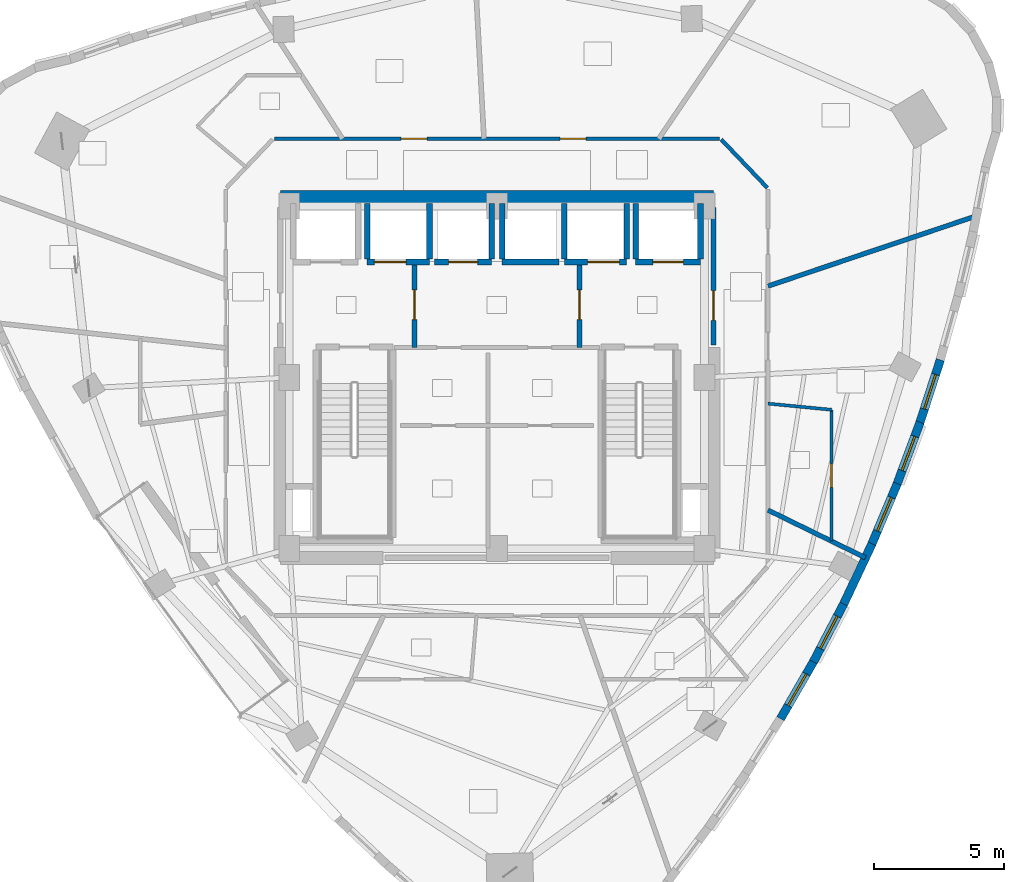
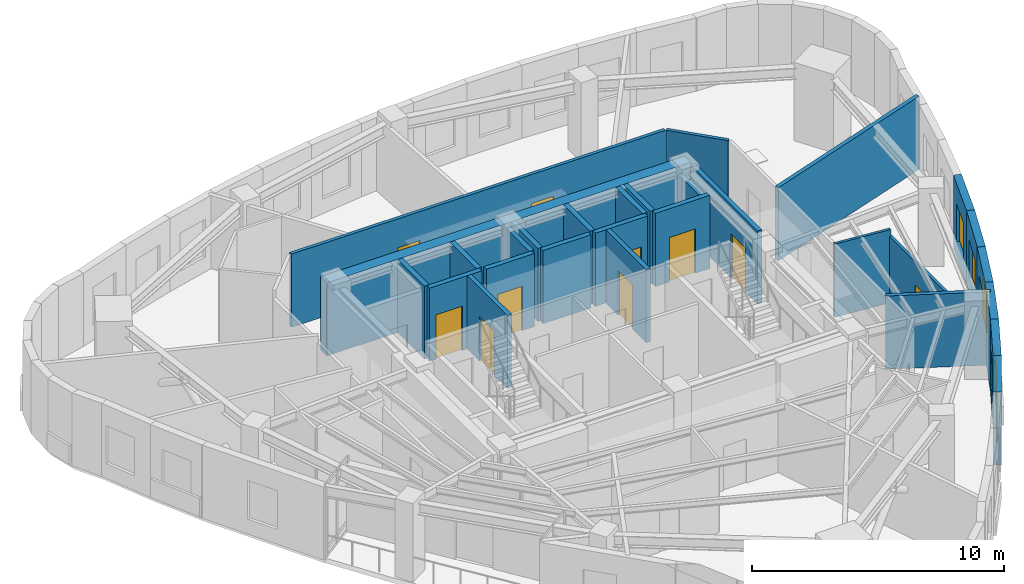
# One storey, part 8 of 13: 29 walls, 10 doors, 5 windows, 15 openings.
"""IFC4 building model written with IfcOpenShell, lengths in metres."""

from ifc_helpers import new_model, si_unit, direction, frame, frame_2d, origin, place, context, subcontext, project, spatial, rectangle, extrude, material, layer, layer_set, type_object, element, fill, save


model = new_model("IFC4")

# Units and contexts
model_context = context("Model", 3, precision=1e-05, world=origin(), true_north=direction((0.0, 1.0)))
body_context = subcontext(model_context, "Body", "Model", "MODEL_VIEW")
ifc_project = project(units=[si_unit("LENGTHUNIT", "METRE"), si_unit("AREAUNIT", "SQUARE_METRE"), si_unit("VOLUMEUNIT", "CUBIC_METRE"), si_unit("PLANEANGLEUNIT", "RADIAN"), si_unit("MASSUNIT", "GRAM", prefix="KILO")], contexts=[model_context])

# Site, building, storey
site_placement = place(None, origin())
site = spatial("IfcSite", under=ifc_project, at=site_placement, CompositionType="ELEMENT")
building_placement = place(site_placement, origin())
building = spatial("IfcBuilding", under=site, at=building_placement, Name="Ndelora Gate Hotel", CompositionType="ELEMENT")
storey_placement = place(building_placement, frame((0.0, 0.0, 235.949951171875)))
storey = spatial("IfcBuildingStorey", under=building, at=storey_placement, Name="L59", CompositionType="ELEMENT", Elevation=235.949951171875)

# Walls
ifc_material_1 = material(Name="Acoustic Double-Stud Gypsum Assembly", Category="gypsum")
ifc_layer_1 = layer(ifc_material_1, 0.179931640625)
ifc_layer_set_1 = layer_set([ifc_layer_1], Name="Acoustic Double-Stud Gypsum Assembly")
wall_type_1 = type_object("IfcWallType", Name="WL-ACOUST-180", PredefinedType="PARTITIONING", material=ifc_layer_set_1)
wall_1_placement = place(storey_placement, frame((10.449951171875, -5.1123046875, 0.0), z_axis=(0.0, 0.0, 1.0), x_axis=(0.89827266013, -0.439438537298, 0.0)))
element("IfcWall", 1, at=wall_1_placement, inside=storey, type_object=wall_type_1, Name="L59 Interior Wall IW-3", PredefinedType="PARTITIONING", context=body_context, shape_type="SweptSolid", body=[
    extrude(rectangle(XDim=4.178955078125, YDim=0.179931640625, at=frame_2d((2.08935546875, 0.0))), origin(), (0.0, 0.0, 1.0), 3.550048828125),
])
wall_2_placement = place(storey_placement, frame((10.449951171875, 3.52099609375, 0.0), z_axis=(0.0, 0.0, 1.0), x_axis=(0.947649729023, 0.319311745919, 0.0)))
element("IfcWall", 2, at=wall_2_placement, inside=storey, type_object=wall_type_1, Name="L59 Interior Wall IW-3", PredefinedType="PARTITIONING", context=body_context, shape_type="SweptSolid", body=[
    extrude(rectangle(XDim=8.473876953125, YDim=0.179931640625, at=frame_2d((4.23681640625, 0.0))), origin(), (0.0, 0.0, 1.0), 3.550048828125),
])

# Wall, opening, window
ifc_material_2 = material(Name="Clay Brick Masonry", Category="masonry")
ifc_layer_2 = layer(ifc_material_2, 0.330078125)
ifc_layer_set_2 = layer_set([ifc_layer_2], Name="Clay Brick Masonry")
wall_type_2 = type_object("IfcWallType", Name="WL-BRICK-330", PredefinedType="SOLIDWALL", material=ifc_layer_set_2)
wall_3_placement = place(storey_placement, frame((12.22021484375, -10.9208984375, 0.0), z_axis=(0.0, 0.0, 1.0), x_axis=(-0.499875407217, -0.866097325513, 0.0)))
wall_3 = element("IfcWall", 3, at=wall_3_placement, inside=storey, type_object=wall_type_2, Name="L59 Tower Brick Pier-and-Spandrel Wall TWR-30", PredefinedType="SOLIDWALL", context=body_context, shape_type="SweptSolid", body=[
    extrude(rectangle(XDim=2.579345703125, YDim=0.330078125, at=frame_2d((1.28955078125, 0.0))), origin(), (0.0, 0.0, 1.0), 3.550048828125),
])
opening_1_placement = place(wall_3_placement, frame((0.589599609375, 0.0, 0.719970703125)))
opening_1 = element("IfcOpeningElement", 4, at=opening_1_placement, cuts=wall_3, Name="Opening W02", PredefinedType="OPENING", context=body_context, shape_type="SweptSolid", body=[
    extrude(rectangle(XDim=1.39990234375, YDim=1.840087890625, at=frame_2d((0.699951171875, 0.919921875))), frame((0.0, 0.175048828125, 0.0), z_axis=(0.0, -1.0, 0.0), x_axis=(1.0, 0.0, 0.0)), (0.0, 0.0, 1.0), 0.35009765625),
])
ifc_material_3 = material(Name="Insulated Low-E Double Glazing in Bronze Aluminium Frame", Category="aluminium")
window_type = type_object("IfcWindowType", Name="WN-DEEP-1400", PartitioningType="SINGLE_PANEL", PredefinedType="WINDOW", material=ifc_material_3)
window_1_placement = place(opening_1_placement, origin())
window_1 = element("IfcWindow", 5, at=window_1_placement, inside=storey, type_object=window_type, Name="L59 Deep-Set Brick-Pier Window W02", OverallHeight=1.840087890625, OverallWidth=1.39990234375, PartitioningType="SINGLE_PANEL", PredefinedType="WINDOW", context=body_context, shape_type="SweptSolid", body=[
    extrude(rectangle(XDim=1.39990234375, YDim=1.840087890625, at=frame_2d((0.699951171875, 0.919921875))), frame((0.0, 0.030029296875, 0.0), z_axis=(0.0, -1.0, 0.0), x_axis=(1.0, 0.0, 0.0)), (0.0, 0.0, 1.0), 0.06005859375),
])
fill(opening_1, window_1)

wall_4_placement = place(storey_placement, frame((13.38720703125, -8.6865234375, 0.0), z_axis=(0.0, 0.0, 1.0), x_axis=(-0.463361004434, -0.886169611062, 0.0)))
wall_4 = element("IfcWall", 6, at=wall_4_placement, inside=storey, type_object=wall_type_2, Name="L59 Tower Brick Pier-and-Spandrel Wall TWR-31", PredefinedType="SOLIDWALL", context=body_context, shape_type="SweptSolid", body=[
    extrude(rectangle(XDim=2.57080078125, YDim=0.330078125, at=frame_2d((1.285400390625, 0.0))), origin(), (0.0, 0.0, 1.0), 3.550048828125),
])
opening_2_placement = place(wall_4_placement, frame((0.585205078125, 0.0, 0.719970703125)))
opening_2 = element("IfcOpeningElement", 7, at=opening_2_placement, cuts=wall_4, Name="Opening W02", PredefinedType="OPENING", context=body_context, shape_type="SweptSolid", body=[
    extrude(rectangle(XDim=1.39990234375, YDim=1.840087890625, at=frame_2d((0.699951171875, 0.919921875))), frame((0.0, 0.175048828125, 0.0), z_axis=(0.0, -1.0, 0.0), x_axis=(1.0, 0.0, 0.0)), (0.0, 0.0, 1.0), 0.35009765625),
])
window_2_placement = place(opening_2_placement, origin())
window_2 = element("IfcWindow", 8, at=window_2_placement, inside=storey, type_object=window_type, Name="L59 Deep-Set Brick-Pier Window W02", OverallHeight=1.840087890625, OverallWidth=1.39990234375, PartitioningType="SINGLE_PANEL", PredefinedType="WINDOW", context=body_context, shape_type="SweptSolid", body=[
    extrude(rectangle(XDim=1.39990234375, YDim=1.840087890625, at=frame_2d((0.699951171875, 0.919921875))), frame((0.0, 0.030029296875, 0.0), z_axis=(0.0, -1.0, 0.0), x_axis=(1.0, 0.0, 0.0)), (0.0, 0.0, 1.0), 0.06005859375),
])
fill(opening_2, window_2)

# Wall
wall_5_placement = place(storey_placement, frame((14.45751953125, -6.40966796875, 0.0), z_axis=(0.0, 0.0, 1.0), x_axis=(-0.425774125911, -0.90482948322, 0.0)))
element("IfcWall", 9, at=wall_5_placement, inside=storey, type_object=wall_type_2, Name="L59 Tower Brick Pier-and-Spandrel Wall TWR-32", PredefinedType="SOLIDWALL", context=body_context, shape_type="SweptSolid", body=[
    extrude(rectangle(XDim=2.56591796875, YDim=0.330078125, at=frame_2d((1.282958984375, 0.0))), origin(), (0.0, 0.0, 1.0), 3.550048828125),
])

# Wall, opening, window
wall_6_placement = place(storey_placement, frame((15.431640625, -4.089599609375, 0.0), z_axis=(0.0, 0.0, 1.0), x_axis=(-0.387525243304, -0.921859092162, 0.0)))
wall_6 = element("IfcWall", 10, at=wall_6_placement, inside=storey, type_object=wall_type_2, Name="L59 Tower Brick Pier-and-Spandrel Wall TWR-33", PredefinedType="SOLIDWALL", context=body_context, shape_type="SweptSolid", body=[
    extrude(rectangle(XDim=2.56591796875, YDim=0.330078125, at=frame_2d((1.282958984375, 0.0))), origin(), (0.0, 0.0, 1.0), 3.550048828125),
])
opening_3_placement = place(wall_6_placement, frame((0.5830078125, 0.0, 0.719970703125)))
opening_3 = element("IfcOpeningElement", 11, at=opening_3_placement, cuts=wall_6, Name="Opening W02", PredefinedType="OPENING", context=body_context, shape_type="SweptSolid", body=[
    extrude(rectangle(XDim=1.39990234375, YDim=1.840087890625, at=frame_2d((0.699951171875, 0.919921875))), frame((0.0, 0.175048828125, 0.0), z_axis=(0.0, -1.0, 0.0), x_axis=(1.0, 0.0, 0.0)), (0.0, 0.0, 1.0), 0.35009765625),
])
window_3_placement = place(opening_3_placement, origin())
window_3 = element("IfcWindow", 12, at=window_3_placement, inside=storey, type_object=window_type, Name="L59 Deep-Set Brick-Pier Window W02", OverallHeight=1.840087890625, OverallWidth=1.39990234375, PartitioningType="SINGLE_PANEL", PredefinedType="WINDOW", context=body_context, shape_type="SweptSolid", body=[
    extrude(rectangle(XDim=1.39990234375, YDim=1.840087890625, at=frame_2d((0.699951171875, 0.919921875))), frame((0.0, 0.030029296875, 0.0), z_axis=(0.0, -1.0, 0.0), x_axis=(1.0, 0.0, 0.0)), (0.0, 0.0, 1.0), 0.06005859375),
])
fill(opening_3, window_3)

wall_7_placement = place(storey_placement, frame((16.30908203125, -1.726806640625, 0.0), z_axis=(0.0, 0.0, 1.0), x_axis=(-0.348582368666, -0.937278150954, 0.0)))
wall_7 = element("IfcWall", 13, at=wall_7_placement, inside=storey, type_object=wall_type_2, Name="L59 Tower Brick Pier-and-Spandrel Wall TWR-34", PredefinedType="SOLIDWALL", context=body_context, shape_type="SweptSolid", body=[
    extrude(rectangle(XDim=2.5703125, YDim=0.330078125, at=frame_2d((1.28515625, 0.0))), origin(), (0.0, 0.0, 1.0), 3.550048828125),
])
opening_4_placement = place(wall_7_placement, frame((0.585205078125, 0.0, 0.719970703125)))
opening_4 = element("IfcOpeningElement", 14, at=opening_4_placement, cuts=wall_7, Name="Opening W02", PredefinedType="OPENING", context=body_context, shape_type="SweptSolid", body=[
    extrude(rectangle(XDim=1.39990234375, YDim=1.840087890625, at=frame_2d((0.699951171875, 0.919921875))), frame((0.0, 0.175048828125, 0.0), z_axis=(0.0, -1.0, 0.0), x_axis=(1.0, 0.0, 0.0)), (0.0, 0.0, 1.0), 0.35009765625),
])
window_4_placement = place(opening_4_placement, origin())
window_4 = element("IfcWindow", 15, at=window_4_placement, inside=storey, type_object=window_type, Name="L59 Deep-Set Brick-Pier Window W02", OverallHeight=1.840087890625, OverallWidth=1.39990234375, PartitioningType="SINGLE_PANEL", PredefinedType="WINDOW", context=body_context, shape_type="SweptSolid", body=[
    extrude(rectangle(XDim=1.39990234375, YDim=1.840087890625, at=frame_2d((0.699951171875, 0.919921875))), frame((0.0, 0.030029296875, 0.0), z_axis=(0.0, -1.0, 0.0), x_axis=(1.0, 0.0, 0.0)), (0.0, 0.0, 1.0), 0.06005859375),
])
fill(opening_4, window_4)

wall_8_placement = place(storey_placement, frame((17.090087890625, 0.678955078125, 0.0), z_axis=(0.0, 0.0, 1.0), x_axis=(-0.309148141518, -0.951013894008, 0.0)))
wall_8 = element("IfcWall", 16, at=wall_8_placement, inside=storey, type_object=wall_type_2, Name="L59 Tower Brick Pier-and-Spandrel Wall TWR-35", PredefinedType="SOLIDWALL", context=body_context, shape_type="SweptSolid", body=[
    extrude(rectangle(XDim=2.579345703125, YDim=0.330078125, at=frame_2d((1.28955078125, 0.0))), origin(), (0.0, 0.0, 1.0), 3.550048828125),
])
opening_5_placement = place(wall_8_placement, frame((0.589599609375, 0.0, 0.719970703125)))
opening_5 = element("IfcOpeningElement", 17, at=opening_5_placement, cuts=wall_8, Name="Opening W02", PredefinedType="OPENING", context=body_context, shape_type="SweptSolid", body=[
    extrude(rectangle(XDim=1.39990234375, YDim=1.840087890625, at=frame_2d((0.699951171875, 0.919921875))), frame((0.0, 0.175048828125, 0.0), z_axis=(0.0, -1.0, 0.0), x_axis=(1.0, 0.0, 0.0)), (0.0, 0.0, 1.0), 0.35009765625),
])
window_5_placement = place(opening_5_placement, origin())
window_5 = element("IfcWindow", 18, at=window_5_placement, inside=storey, type_object=window_type, Name="L59 Deep-Set Brick-Pier Window W02", OverallHeight=1.840087890625, OverallWidth=1.39990234375, PartitioningType="SINGLE_PANEL", PredefinedType="WINDOW", context=body_context, shape_type="SweptSolid", body=[
    extrude(rectangle(XDim=1.39990234375, YDim=1.840087890625, at=frame_2d((0.699951171875, 0.919921875))), frame((0.0, 0.030029296875, 0.0), z_axis=(0.0, -1.0, 0.0), x_axis=(1.0, 0.0, 0.0)), (0.0, 0.0, 1.0), 0.06005859375),
])
fill(opening_5, window_5)

# Wall
ifc_material_4 = material(Name="Concrete C50/60", Category="concrete")
ifc_layer_3 = layer(ifc_material_4, 0.5)
ifc_layer_set_3 = layer_set([ifc_layer_3], Name="Concrete C50/60")
wall_type_3 = type_object("IfcWallType", Name="WL-CORE-500", PredefinedType="SHEAR", material=ifc_layer_set_3)
wall_9_placement = place(storey_placement, frame((-8.35009765625, 6.949951171875, 0.0), z_axis=(0.0, 0.0, 1.0), x_axis=(1.0, 0.0, 0.0)))
element("IfcWall", 19, at=wall_9_placement, inside=storey, type_object=wall_type_3, Name="L59 Core Shear Wall N", PredefinedType="SHEAR", context=body_context, shape_type="SweptSolid", body=[
    extrude(rectangle(XDim=16.7001953125, YDim=0.5, at=frame_2d((8.35009765625, 0.0))), origin(), (0.0, 0.0, 1.0), 3.550048828125),
])

# Wall, opening, door
ifc_material_5 = material(Name="Concrete C40/50", Category="concrete")
ifc_layer_4 = layer(ifc_material_5, 0.199951171875)
ifc_layer_set_4 = layer_set([ifc_layer_4], Name="Concrete C40/50")
wall_type_4 = type_object("IfcWallType", Name="WL-FIRE-200", PredefinedType="PARTITIONING", material=ifc_layer_set_4)
wall_10_placement = place(storey_placement, frame((-3.179931640625, 1.14990234375, 0.0), z_axis=(0.0, 0.0, 1.0), x_axis=(0.0, 1.0, 0.0)))
wall_10 = element("IfcWall", 20, at=wall_10_placement, inside=storey, type_object=wall_type_4, Name="L59 Interior Wall IW-2", PredefinedType="PARTITIONING", context=body_context, shape_type="SweptSolid", body=[
    extrude(rectangle(XDim=3.300048828125, YDim=0.199951171875, at=frame_2d((1.64990234375, 0.0))), origin(), (0.0, 0.0, 1.0), 3.550048828125),
])
opening_6_placement = place(wall_10_placement, frame((1.080078125, 0.0, 0.0)))
opening_6 = element("IfcOpeningElement", 21, at=opening_6_placement, cuts=wall_10, Name="Opening FD1", PredefinedType="OPENING", context=body_context, shape_type="SweptSolid", body=[
    extrude(rectangle(XDim=1.14990234375, YDim=2.14990234375, at=frame_2d((0.574951171875, 1.074951171875))), frame((0.0, 0.10986328125, 0.0), z_axis=(0.0, -1.0, 0.0), x_axis=(1.0, 0.0, 0.0)), (0.0, 0.0, 1.0), 0.219970703125),
])
ifc_material_6 = material(Name="Fire-Rated Timber-Veneer Steel Core", Category="steel")
door_type_1 = type_object("IfcDoorType", Name="DR-FD60", OperationType="SINGLE_SWING_LEFT", PredefinedType="DOOR", material=ifc_material_6)
door_1_placement = place(opening_6_placement, origin())
door_1 = element("IfcDoor", 22, at=door_1_placement, inside=storey, type_object=door_type_1, Name="L59 Firefighting Lobby West Door", OperationType="SINGLE_SWING_RIGHT", OverallHeight=2.14990234375, OverallWidth=1.14990234375, PredefinedType="DOOR", context=body_context, shape_type="SweptSolid", body=[
    extrude(rectangle(XDim=1.14990234375, YDim=2.14990234375, at=frame_2d((0.574951171875, 1.074951171875))), frame((0.0, 0.02490234375, 0.0), z_axis=(0.0, -1.0, 0.0), x_axis=(1.0, 0.0, 0.0)), (0.0, 0.0, 1.0), 0.050048828125),
])
fill(opening_6, door_1)

wall_11_placement = place(storey_placement, frame((3.179931640625, 1.14990234375, 0.0), z_axis=(0.0, 0.0, 1.0), x_axis=(0.0, 1.0, 0.0)))
wall_11 = element("IfcWall", 23, at=wall_11_placement, inside=storey, type_object=wall_type_4, Name="L59 Interior Wall IW-2", PredefinedType="PARTITIONING", context=body_context, shape_type="SweptSolid", body=[
    extrude(rectangle(XDim=3.300048828125, YDim=0.199951171875, at=frame_2d((1.64990234375, 0.0))), origin(), (0.0, 0.0, 1.0), 3.550048828125),
])
opening_7_placement = place(wall_11_placement, frame((1.080078125, 0.0, 0.0)))
opening_7 = element("IfcOpeningElement", 24, at=opening_7_placement, cuts=wall_11, Name="Opening FD1", PredefinedType="OPENING", context=body_context, shape_type="SweptSolid", body=[
    extrude(rectangle(XDim=1.14990234375, YDim=2.14990234375, at=frame_2d((0.574951171875, 1.074951171875))), frame((0.0, 0.10986328125, 0.0), z_axis=(0.0, -1.0, 0.0), x_axis=(1.0, 0.0, 0.0)), (0.0, 0.0, 1.0), 0.219970703125),
])
door_2_placement = place(opening_7_placement, origin())
door_2 = element("IfcDoor", 25, at=door_2_placement, inside=storey, type_object=door_type_1, Name="L59 Firefighting Lobby East Door", OperationType="SINGLE_SWING_LEFT", OverallHeight=2.14990234375, OverallWidth=1.14990234375, PredefinedType="DOOR", context=body_context, shape_type="SweptSolid", body=[
    extrude(rectangle(XDim=1.14990234375, YDim=2.14990234375, at=frame_2d((0.574951171875, 1.074951171875))), frame((0.0, 0.02490234375, 0.0), z_axis=(0.0, -1.0, 0.0), x_axis=(1.0, 0.0, 0.0)), (0.0, 0.0, 1.0), 0.050048828125),
])
fill(opening_7, door_2)

wall_12_placement = place(storey_placement, frame((8.35009765625, 1.25, 0.0), z_axis=(0.0, 0.0, 1.0), x_axis=(0.0, 1.0, 0.0)))
wall_12 = element("IfcWall", 26, at=wall_12_placement, inside=storey, type_object=wall_type_4, Name="L59 Interior Wall IW-2", PredefinedType="PARTITIONING", context=body_context, shape_type="SweptSolid", body=[
    extrude(rectangle(XDim=5.300048828125, YDim=0.199951171875, at=frame_2d((2.64990234375, 0.0))), origin(), (0.0, 0.0, 1.0), 3.550048828125),
])
opening_8_placement = place(wall_12_placement, frame((0.949951171875, 0.0, 0.0)))
opening_8 = element("IfcOpeningElement", 27, at=opening_8_placement, cuts=wall_12, Name="Opening FD1", PredefinedType="OPENING", context=body_context, shape_type="SweptSolid", body=[
    extrude(rectangle(XDim=1.14990234375, YDim=2.14990234375, at=frame_2d((0.574951171875, 1.074951171875))), frame((0.0, 0.10986328125, 0.0), z_axis=(0.0, -1.0, 0.0), x_axis=(1.0, 0.0, 0.0)), (0.0, 0.0, 1.0), 0.219970703125),
])
door_3_placement = place(opening_8_placement, origin())
door_3 = element("IfcDoor", 28, at=door_3_placement, inside=storey, type_object=door_type_1, Name="L59 Firefighting Lobby East Corridor Door", OperationType="SINGLE_SWING_RIGHT", OverallHeight=2.14990234375, OverallWidth=1.14990234375, PredefinedType="DOOR", context=body_context, shape_type="SweptSolid", body=[
    extrude(rectangle(XDim=1.14990234375, YDim=2.14990234375, at=frame_2d((0.574951171875, 1.074951171875))), frame((0.0, 0.02490234375, 0.0), z_axis=(0.0, -1.0, 0.0), x_axis=(1.0, 0.0, 0.0)), (0.0, 0.0, 1.0), 0.050048828125),
])
fill(opening_8, door_3)

# Wall
ifc_material_7 = material(Name="Fire-Rated Gypsum Stud Partition", Category="gypsum")
ifc_layer_5 = layer(ifc_material_7, 0.14990234375)
ifc_layer_set_5 = layer_set([ifc_layer_5], Name="Fire-Rated Gypsum Stud Partition")
wall_type_5 = type_object("IfcWallType", Name="WL-PART-150", PredefinedType="PARTITIONING", material=ifc_layer_set_5)
wall_13_placement = place(storey_placement, frame((8.647705078125, 9.1708984375, 0.0), z_axis=(0.0, 0.0, 1.0), x_axis=(0.689960858356, -0.723846678473, 0.0)))
element("IfcWall", 29, at=wall_13_placement, inside=storey, type_object=wall_type_5, Name="L59 Interior Wall IW-5", PredefinedType="PARTITIONING", context=body_context, shape_type="SweptSolid", body=[
    extrude(rectangle(XDim=2.572021484375, YDim=0.14990234375, at=frame_2d((1.2861328125, 0.0))), origin(), (0.0, 0.0, 1.0), 3.550048828125),
])

# Wall, openings, doors
wall_14_placement = place(storey_placement, frame((-8.580078125, 9.199951171875, 0.0), z_axis=(0.0, 0.0, 1.0), x_axis=(1.0, 0.0, 0.0)))
wall_14 = element("IfcWall", 30, at=wall_14_placement, inside=storey, type_object=wall_type_5, Name="L59 Interior Wall IW-5", PredefinedType="PARTITIONING", context=body_context, shape_type="SweptSolid", body=[
    extrude(rectangle(XDim=17.16015625, YDim=0.14990234375, at=frame_2d((8.580078125, 0.0))), origin(), (0.0, 0.0, 1.0), 3.550048828125),
])
opening_9_placement = place(wall_14_placement, frame((4.8896484375, 0.0, 0.0)))
opening_9 = element("IfcOpeningElement", 31, at=opening_9_placement, cuts=wall_14, Name="Opening D01", PredefinedType="OPENING", context=body_context, shape_type="SweptSolid", body=[
    extrude(rectangle(XDim=1.0, YDim=2.14990234375, at=frame_2d((0.5, 1.074951171875))), frame((0.0, 0.0849609375, 0.0), z_axis=(0.0, -1.0, 0.0), x_axis=(1.0, 0.0, 0.0)), (0.0, 0.0, 1.0), 0.169921875),
])
opening_10_placement = place(wall_14_placement, frame((11.01611328125, 0.0, 0.0)))
opening_10 = element("IfcOpeningElement", 32, at=opening_10_placement, cuts=wall_14, Name="Opening D01", PredefinedType="OPENING", context=body_context, shape_type="SweptSolid", body=[
    extrude(rectangle(XDim=1.0, YDim=2.14990234375, at=frame_2d((0.5, 1.074951171875))), frame((0.0, 0.0849609375, 0.0), z_axis=(0.0, -1.0, 0.0), x_axis=(1.0, 0.0, 0.0)), (0.0, 0.0, 1.0), 0.169921875),
])
ifc_material_8 = material(Name="Acoustic Hardwood Guest Entrance Door", Category="wood")
door_type_2 = type_object("IfcDoorType", Name="DR-COR-1000", OperationType="SINGLE_SWING_LEFT", PredefinedType="DOOR", material=ifc_material_8)
door_4_placement = place(opening_9_placement, origin())
door_4 = element("IfcDoor", 33, at=door_4_placement, inside=storey, type_object=door_type_2, Name="L59 Chef Service Kitchen Entrance Door", OperationType="SINGLE_SWING_RIGHT", OverallHeight=2.14990234375, OverallWidth=1.0, PredefinedType="DOOR", context=body_context, shape_type="SweptSolid", body=[
    extrude(rectangle(XDim=1.0, YDim=2.14990234375, at=frame_2d((0.5, 1.074951171875))), frame((0.0, 0.02490234375, 0.0), z_axis=(0.0, -1.0, 0.0), x_axis=(1.0, 0.0, 0.0)), (0.0, 0.0, 1.0), 0.050048828125),
])
fill(opening_9, door_4)
door_5_placement = place(opening_10_placement, origin())
door_5 = element("IfcDoor", 34, at=door_5_placement, inside=storey, type_object=door_type_2, Name="L59 Altitude Fitness Gym Entrance Door", OperationType="SINGLE_SWING_RIGHT", OverallHeight=2.14990234375, OverallWidth=1.0, PredefinedType="DOOR", context=body_context, shape_type="SweptSolid", body=[
    extrude(rectangle(XDim=1.0, YDim=2.14990234375, at=frame_2d((0.5, 1.074951171875))), frame((0.0, 0.02490234375, 0.0), z_axis=(0.0, -1.0, 0.0), x_axis=(1.0, 0.0, 0.0)), (0.0, 0.0, 1.0), 0.050048828125),
])
fill(opening_10, door_5)

# Wall, opening, door
ifc_layer_6 = layer(ifc_material_5, 0.219970703125)
ifc_layer_set_6 = layer_set([ifc_layer_6], Name="Concrete C40/50")
wall_type_6 = type_object("IfcWallType", Name="WL-SHAFT-220", PredefinedType="PARTITIONING", material=ifc_layer_set_6)
wall_15_placement = place(storey_placement, frame((5.35009765625, 4.449951171875, 0.0), z_axis=(0.0, 0.0, 1.0), x_axis=(1.0, 0.0, 0.0)))
wall_15 = element("IfcWall", 35, at=wall_15_placement, inside=storey, type_object=wall_type_6, Name="L59 Interior Wall IW-1", PredefinedType="PARTITIONING", context=body_context, shape_type="SweptSolid", body=[
    extrude(rectangle(XDim=2.5, YDim=0.219970703125, at=frame_2d((1.25, 0.0))), origin(), (0.0, 0.0, 1.0), 3.550048828125),
])
opening_11_placement = place(wall_15_placement, frame((0.659912109375, 0.0, 0.0)))
opening_11 = element("IfcOpeningElement", 36, at=opening_11_placement, cuts=wall_15, Name="Opening LD5", PredefinedType="OPENING", context=body_context, shape_type="SweptSolid", body=[
    extrude(rectangle(XDim=1.179931640625, YDim=2.14990234375, at=frame_2d((0.58984375, 1.074951171875))), frame((0.0, 0.1201171875, 0.0), z_axis=(0.0, -1.0, 0.0), x_axis=(1.0, 0.0, 0.0)), (0.0, 0.0, 1.0), 0.239990234375),
])
ifc_material_9 = material(Name="Firefighting Lift Stainless Sliding Landing Door", Category="metal")
door_type_3 = type_object("IfcDoorType", Name="DR-LD5", OperationType="DOUBLE_DOOR_SLIDING", PredefinedType="DOOR", material=ifc_material_9)
door_6_placement = place(opening_11_placement, origin())
door_6 = element("IfcDoor", 37, at=door_6_placement, inside=storey, type_object=door_type_3, Name="L59 Lift Landing Sliding Door FFL2", OperationType="DOUBLE_DOOR_SLIDING", OverallHeight=2.14990234375, OverallWidth=1.179931640625, PredefinedType="DOOR", context=body_context, shape_type="SweptSolid", body=[
    extrude(rectangle(XDim=1.179931640625, YDim=2.14990234375, at=frame_2d((0.58984375, 1.074951171875))), frame((0.0, 0.02490234375, 0.0), z_axis=(0.0, -1.0, 0.0), x_axis=(1.0, 0.0, 0.0)), (0.0, 0.0, 1.0), 0.050048828125),
])
fill(opening_11, door_6)

# Walls
wall_16_placement = place(storey_placement, frame((5.35009765625, 4.570068359375, 0.0), z_axis=(0.0, 0.0, 1.0), x_axis=(0.0, 1.0, 0.0)))
element("IfcWall", 38, at=wall_16_placement, inside=storey, type_object=wall_type_6, Name="L59 Interior Wall IW-1", PredefinedType="PARTITIONING", context=body_context, shape_type="SweptSolid", body=[
    extrude(rectangle(XDim=2.1298828125, YDim=0.219970703125, at=frame_2d((1.06494140625, 0.0))), origin(), (0.0, 0.0, 1.0), 3.550048828125),
])
wall_17_placement = place(storey_placement, frame((7.85009765625, 4.570068359375, 0.0), z_axis=(0.0, 0.0, 1.0), x_axis=(0.0, 1.0, 0.0)))
element("IfcWall", 39, at=wall_17_placement, inside=storey, type_object=wall_type_6, Name="L59 Interior Wall IW-1", PredefinedType="PARTITIONING", context=body_context, shape_type="SweptSolid", body=[
    extrude(rectangle(XDim=2.1298828125, YDim=0.219970703125, at=frame_2d((1.06494140625, 0.0))), origin(), (0.0, 0.0, 1.0), 3.179931640625),
])

# Wall, opening, door
wall_18_placement = place(storey_placement, frame((-5.0, 4.449951171875, 0.0), z_axis=(0.0, 0.0, 1.0), x_axis=(1.0, 0.0, 0.0)))
wall_18 = element("IfcWall", 40, at=wall_18_placement, inside=storey, type_object=wall_type_6, Name="L59 Interior Wall IW-1", PredefinedType="PARTITIONING", context=body_context, shape_type="SweptSolid", body=[
    extrude(rectangle(XDim=2.39990234375, YDim=0.219970703125, at=frame_2d((1.199951171875, 0.0))), origin(), (0.0, 0.0, 1.0), 3.550048828125),
])
opening_12_placement = place(wall_18_placement, frame((0.280029296875, 0.0, 0.0)))
opening_12 = element("IfcOpeningElement", 41, at=opening_12_placement, cuts=wall_18, Name="Opening LD6", PredefinedType="OPENING", context=body_context, shape_type="SweptSolid", body=[
    extrude(rectangle(XDim=1.219970703125, YDim=2.14990234375, at=frame_2d((0.60986328125, 1.074951171875))), frame((0.0, 0.1201171875, 0.0), z_axis=(0.0, -1.0, 0.0), x_axis=(1.0, 0.0, 0.0)), (0.0, 0.0, 1.0), 0.239990234375),
])
ifc_material_10 = material(Name="Heavy-Duty Service Lift Sliding Landing Door", Category="wood")
door_type_4 = type_object("IfcDoorType", Name="DR-LD6", OperationType="DOUBLE_DOOR_SLIDING", PredefinedType="DOOR", material=ifc_material_10)
door_7_placement = place(opening_12_placement, origin())
door_7 = element("IfcDoor", 42, at=door_7_placement, inside=storey, type_object=door_type_4, Name="L59 Lift Landing Sliding Door SVL1", OperationType="DOUBLE_DOOR_SLIDING", OverallHeight=2.14990234375, OverallWidth=1.219970703125, PredefinedType="DOOR", context=body_context, shape_type="SweptSolid", body=[
    extrude(rectangle(XDim=1.219970703125, YDim=2.14990234375, at=frame_2d((0.60986328125, 1.074951171875))), frame((0.0, 0.02490234375, 0.0), z_axis=(0.0, -1.0, 0.0), x_axis=(1.0, 0.0, 0.0)), (0.0, 0.0, 1.0), 0.050048828125),
])
fill(opening_12, door_7)

# Walls
for number, where, z_axis, x_axis, name in (
    (43, (-5.0, 4.570068359375, 0.0), (0.0, 0.0, 1.0), (0.0, 1.0, 0.0), "L59 Interior Wall IW-1"),
    (44, (-2.60009765625, 4.570068359375, 0.0), (0.0, 0.0, 1.0), (0.0, 1.0, 0.0), "L59 Interior Wall IW-1"),
):
    element("IfcWall", number, at=place(storey_placement, frame(where, z_axis=z_axis, x_axis=x_axis)), inside=storey, type_object=wall_type_6, Name=name, PredefinedType="PARTITIONING", context=body_context, shape_type="SweptSolid", body=[
        extrude(rectangle(XDim=2.1298828125, YDim=0.219970703125, at=frame_2d((1.06494140625, 0.0))), origin(), (0.0, 0.0, 1.0), 3.550048828125),
    ])

# Wall, opening, door
wall_19_placement = place(storey_placement, frame((2.60009765625, 4.449951171875, 0.0), z_axis=(0.0, 0.0, 1.0), x_axis=(1.0, 0.0, 0.0)))
wall_19 = element("IfcWall", 45, at=wall_19_placement, inside=storey, type_object=wall_type_6, Name="L59 Interior Wall IW-1", PredefinedType="PARTITIONING", context=body_context, shape_type="SweptSolid", body=[
    extrude(rectangle(XDim=2.39990234375, YDim=0.219970703125, at=frame_2d((1.199951171875, 0.0))), origin(), (0.0, 0.0, 1.0), 3.550048828125),
])
opening_13_placement = place(wall_19_placement, frame((0.89990234375, 0.0, 0.0)))
opening_13 = element("IfcOpeningElement", 46, at=opening_13_placement, cuts=wall_19, Name="Opening LD6", PredefinedType="OPENING", context=body_context, shape_type="SweptSolid", body=[
    extrude(rectangle(XDim=1.219970703125, YDim=2.14990234375, at=frame_2d((0.60986328125, 1.074951171875))), frame((0.0, 0.1201171875, 0.0), z_axis=(0.0, -1.0, 0.0), x_axis=(1.0, 0.0, 0.0)), (0.0, 0.0, 1.0), 0.239990234375),
])
door_8_placement = place(opening_13_placement, origin())
door_8 = element("IfcDoor", 47, at=door_8_placement, inside=storey, type_object=door_type_4, Name="L59 Lift Landing Sliding Door SVL2", OperationType="DOUBLE_DOOR_SLIDING", OverallHeight=2.14990234375, OverallWidth=1.219970703125, PredefinedType="DOOR", context=body_context, shape_type="SweptSolid", body=[
    extrude(rectangle(XDim=1.219970703125, YDim=2.14990234375, at=frame_2d((0.60986328125, 1.074951171875))), frame((0.0, 0.02490234375, 0.0), z_axis=(0.0, -1.0, 0.0), x_axis=(1.0, 0.0, 0.0)), (0.0, 0.0, 1.0), 0.050048828125),
])
fill(opening_13, door_8)

# Walls
for number, where, z_axis, x_axis, name in (
    (48, (2.60009765625, 4.570068359375, 0.0), (0.0, 0.0, 1.0), (0.0, 1.0, 0.0), "L59 Interior Wall IW-1"),
    (49, (5.0, 4.570068359375, 0.0), (0.0, 0.0, 1.0), (0.0, 1.0, 0.0), "L59 Interior Wall IW-1"),
):
    element("IfcWall", number, at=place(storey_placement, frame(where, z_axis=z_axis, x_axis=x_axis)), inside=storey, type_object=wall_type_6, Name=name, PredefinedType="PARTITIONING", context=body_context, shape_type="SweptSolid", body=[
        extrude(rectangle(XDim=2.1298828125, YDim=0.219970703125, at=frame_2d((1.06494140625, 0.0))), origin(), (0.0, 0.0, 1.0), 3.550048828125),
    ])

# Wall, opening, door
wall_20_placement = place(storey_placement, frame((-2.39990234375, 4.449951171875, 0.0), z_axis=(0.0, 0.0, 1.0), x_axis=(1.0, 0.0, 0.0)))
wall_20 = element("IfcWall", 50, at=wall_20_placement, inside=storey, type_object=wall_type_6, Name="L59 Interior Wall IW-1", PredefinedType="PARTITIONING", context=body_context, shape_type="SweptSolid", body=[
    extrude(rectangle(XDim=2.199951171875, YDim=0.219970703125, at=frame_2d((1.10009765625, 0.0))), origin(), (0.0, 0.0, 1.0), 3.550048828125),
])
opening_14_placement = place(wall_20_placement, frame((0.5400390625, 0.0, 0.0)))
opening_14 = element("IfcOpeningElement", 51, at=opening_14_placement, cuts=wall_20, Name="Opening LD3", PredefinedType="OPENING", context=body_context, shape_type="SweptSolid", body=[
    extrude(rectangle(XDim=1.1201171875, YDim=2.14990234375, at=frame_2d((0.56005859375, 1.074951171875))), frame((0.0, 0.1201171875, 0.0), z_axis=(0.0, -1.0, 0.0), x_axis=(1.0, 0.0, 0.0)), (0.0, 0.0, 1.0), 0.239990234375),
])
ifc_material_11 = material(Name="Brushed Bronze Stainless Lift Landing Door", Category="metal")
door_type_5 = type_object("IfcDoorType", Name="DR-LD3", OperationType="DOUBLE_DOOR_SLIDING", PredefinedType="DOOR", material=ifc_material_11)
door_9_placement = place(opening_14_placement, origin())
door_9 = element("IfcDoor", 52, at=door_9_placement, inside=storey, type_object=door_type_5, Name="L59 Lift Landing Sliding Door P3A", OperationType="DOUBLE_DOOR_SLIDING", OverallHeight=2.14990234375, OverallWidth=1.1201171875, PredefinedType="DOOR", context=body_context, shape_type="SweptSolid", body=[
    extrude(rectangle(XDim=1.1201171875, YDim=2.14990234375, at=frame_2d((0.56005859375, 1.074951171875))), frame((0.0, 0.02490234375, 0.0), z_axis=(0.0, -1.0, 0.0), x_axis=(1.0, 0.0, 0.0)), (0.0, 0.0, 1.0), 0.050048828125),
])
fill(opening_14, door_9)

# Walls
wall_21_placement = place(storey_placement, frame((-0.199951171875, 4.570068359375, 0.0), z_axis=(0.0, 0.0, 1.0), x_axis=(0.0, 1.0, 0.0)))
element("IfcWall", 53, at=wall_21_placement, inside=storey, type_object=wall_type_6, Name="L59 Interior Wall IW-1", PredefinedType="PARTITIONING", context=body_context, shape_type="SweptSolid", body=[
    extrude(rectangle(XDim=2.1298828125, YDim=0.219970703125, at=frame_2d((1.06494140625, 0.0))), origin(), (0.0, 0.0, 1.0), 3.550048828125),
])
wall_22_placement = place(storey_placement, frame((0.199951171875, 4.449951171875, 0.0), z_axis=(0.0, 0.0, 1.0), x_axis=(1.0, 0.0, 0.0)))
element("IfcWall", 54, at=wall_22_placement, inside=storey, type_object=wall_type_6, Name="L59 Interior Wall IW-1", PredefinedType="PARTITIONING", context=body_context, shape_type="SweptSolid", body=[
    extrude(rectangle(XDim=2.199951171875, YDim=0.219970703125, at=frame_2d((1.10009765625, 0.0))), origin(), (0.0, 0.0, 1.0), 3.550048828125),
])
wall_23_placement = place(storey_placement, frame((0.199951171875, 4.570068359375, 0.0), z_axis=(0.0, 0.0, 1.0), x_axis=(0.0, 1.0, 0.0)))
element("IfcWall", 55, at=wall_23_placement, inside=storey, type_object=wall_type_6, Name="L59 Interior Wall IW-1", PredefinedType="PARTITIONING", context=body_context, shape_type="SweptSolid", body=[
    extrude(rectangle(XDim=2.1298828125, YDim=0.219970703125, at=frame_2d((1.06494140625, 0.0))), origin(), (0.0, 0.0, 1.0), 3.550048828125),
])
ifc_material_12 = material(Name="Moisture-Resistant Bathroom Tile Partition", Category="gypsum")
ifc_layer_7 = layer(ifc_material_12, 0.1201171875)
ifc_layer_set_7 = layer_set([ifc_layer_7], Name="Moisture-Resistant Bathroom Tile Partition")
wall_type_7 = type_object("IfcWallType", Name="WL-WET-120", PredefinedType="PARTITIONING", material=ifc_layer_set_7)
wall_24_placement = place(storey_placement, frame((10.449951171875, -1.00830078125, 0.0), z_axis=(0.0, 0.0, 1.0), x_axis=(0.995370238569, -0.096114973709, 0.0)))
element("IfcWall", 56, at=wall_24_placement, inside=storey, type_object=wall_type_7, Name="L59 Interior Wall IW-7", PredefinedType="PARTITIONING", context=body_context, shape_type="SweptSolid", body=[
    extrude(rectangle(XDim=2.46142578125, YDim=0.1201171875, at=frame_2d((1.230712890625, 0.0))), origin(), (0.0, 0.0, 1.0), 3.550048828125),
])

# Wall, opening, door
wall_25_placement = place(storey_placement, frame((12.89990234375, -1.244873046875, 0.0), z_axis=(0.0, 0.0, 1.0), x_axis=(0.0, -1.0, 0.0)))
wall_25 = element("IfcWall", 57, at=wall_25_placement, inside=storey, type_object=wall_type_7, Name="L59 Interior Wall IW-7", PredefinedType="PARTITIONING", context=body_context, shape_type="SweptSolid", body=[
    extrude(rectangle(XDim=5.066162109375, YDim=0.1201171875, at=frame_2d((2.533203125, 0.0))), origin(), (0.0, 0.0, 1.0), 3.22998046875),
])
opening_15_placement = place(wall_25_placement, frame((2.072998046875, 0.0, 0.0)))
opening_15 = element("IfcOpeningElement", 58, at=opening_15_placement, cuts=wall_25, Name="Opening D03", PredefinedType="OPENING", context=body_context, shape_type="SweptSolid", body=[
    extrude(rectangle(XDim=0.919921875, YDim=2.10009765625, at=frame_2d((0.4599609375, 1.050048828125))), frame((0.0, 0.070068359375, 0.0), z_axis=(0.0, -1.0, 0.0), x_axis=(1.0, 0.0, 0.0)), (0.0, 0.0, 1.0), 0.14013671875),
])
ifc_material_13 = material(Name="Moisture-Resistant Hardwood En-Suite Door", Category="wood")
door_type_6 = type_object("IfcDoorType", Name="DR-BATH-920", OperationType="SINGLE_SWING_LEFT", PredefinedType="DOOR", material=ifc_material_13)
door_10_placement = place(opening_15_placement, origin())
door_10 = element("IfcDoor", 59, at=door_10_placement, inside=storey, type_object=door_type_6, Name="L59 En-suite Bathroom 6203 Door", OperationType="SINGLE_SWING_RIGHT", OverallHeight=2.10009765625, OverallWidth=0.919921875, PredefinedType="DOOR", context=body_context, shape_type="SweptSolid", body=[
    extrude(rectangle(XDim=0.919921875, YDim=2.10009765625, at=frame_2d((0.4599609375, 1.050048828125))), frame((0.0, 0.02490234375, 0.0), z_axis=(0.0, -1.0, 0.0), x_axis=(1.0, 0.0, 0.0)), (0.0, 0.0, 1.0), 0.050048828125),
])
fill(opening_15, door_10)

save(model, "model.ifc")
